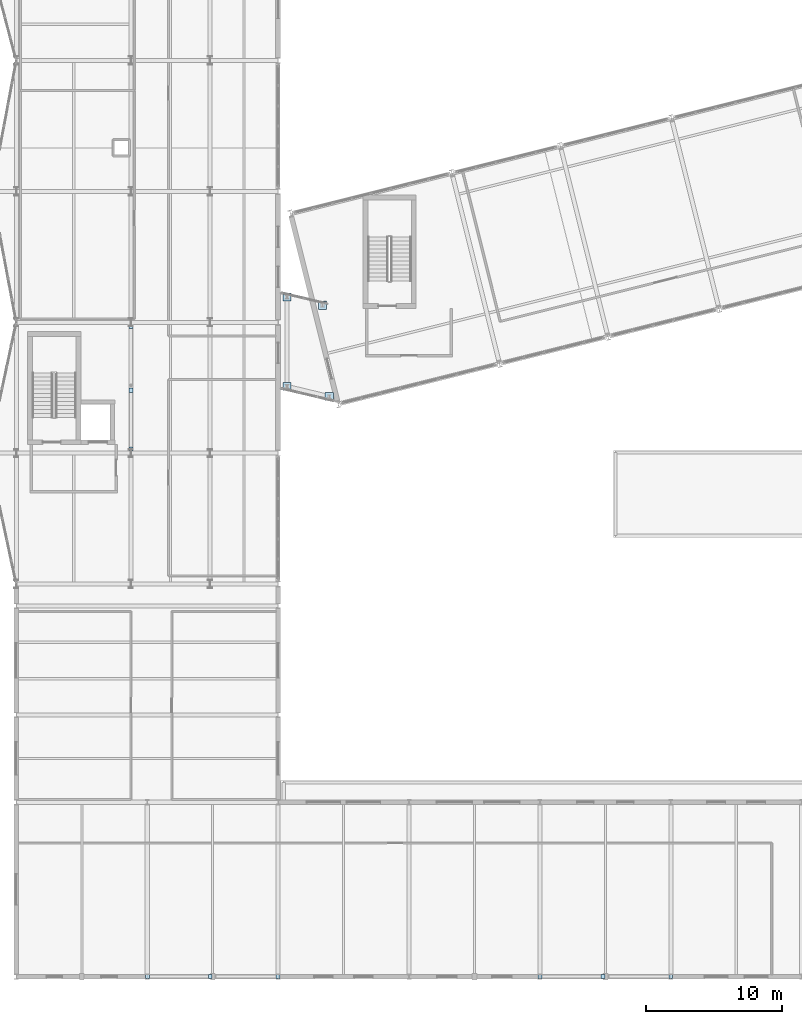
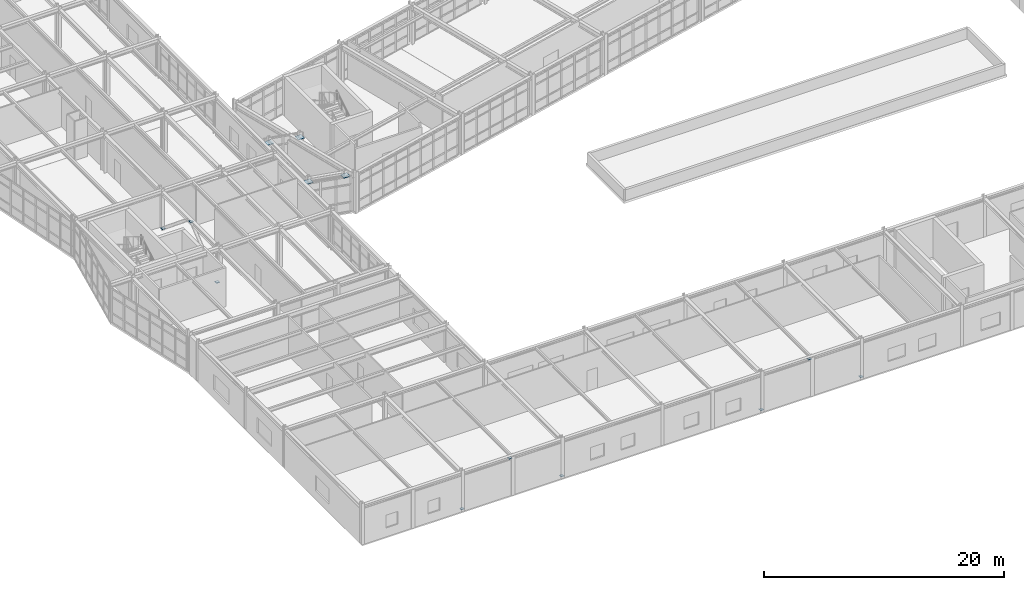
# One storey, part 73 of 99: 13 plates.
"""IFC4 building model written with IfcOpenShell, lengths in metres."""

from ifc_helpers import new_model, si_unit, direction, frame, origin, origin_2d, place, context, subcontext, project, spatial, rectangle, extrude, material, layer, layer_set, type_object, element, save


model = new_model("IFC4")

# Units and contexts
model_context = context("Model", 3, precision=1e-05, world=origin(), true_north=direction((0.0, 1.0)))
body_context = subcontext(model_context, "Body", "Model", "MODEL_VIEW")
ifc_project = project(units=[si_unit("LENGTHUNIT", "METRE"), si_unit("AREAUNIT", "SQUARE_METRE"), si_unit("VOLUMEUNIT", "CUBIC_METRE"), si_unit("PLANEANGLEUNIT", "RADIAN"), si_unit("MASSUNIT", "GRAM", prefix="KILO")], contexts=[model_context])

# Site, building, storey
site_placement = place(None, origin())
site = spatial("IfcSite", under=ifc_project, at=site_placement, CompositionType="ELEMENT")
building_placement = place(site_placement, origin())
building = spatial("IfcBuilding", under=site, at=building_placement, Name="Nordkorset Police Headquarters", CompositionType="ELEMENT")
storey_placement = place(building_placement, frame((0.0, 0.0, 5.25)))
storey = spatial("IfcBuildingStorey", under=building, at=storey_placement, Name="L01", CompositionType="ELEMENT", Elevation=5.25)

# Plates
ifc_material_1 = material(Name="Steel S355J2", Category="steel")
ifc_layer_1 = layer(ifc_material_1, 0.02001953125, Name="Steel S355J2")
ifc_layer_set_1 = layer_set([ifc_layer_1], Name="Steel S355J2")
plate_type_1 = type_object("IfcPlateType", Name="SteelPlate_20mm", PredefinedType="SHEET", material=ifc_layer_set_1)
for number, where, z_axis, x_axis, name in (
    (1, (8.39990234375, 38.699951171875, 0.18994140625), (0.0, 0.0, 1.0), (1.0, 0.0, 0.0), "Hollow Section End Cap Plate BF-V3-A-L01-D1-0"),
    (2, (8.39990234375, 43.02001953125, 3.72998046875), (0.0, 0.0, 1.0), (1.0, 0.0, 0.0), "Hollow Section End Cap Plate BF-V3-A-L01-D1-1"),
    (3, (8.39990234375, 47.699951171875, 0.18994140625), (0.0, 0.0, 1.0), (1.0, 0.0, 0.0), "Hollow Section End Cap Plate BF-V3-A-L01-D2-0"),
):
    element("IfcPlate", number, at=place(storey_placement, frame(where, z_axis=z_axis, x_axis=x_axis)), inside=storey, type_object=plate_type_1, Name=name, PredefinedType="SHEET", context=body_context, shape_type="SweptSolid", body=[
        extrude(rectangle(XDim=0.31298828125, YDim=0.31298828125, at=origin_2d()), origin(), (0.0, 0.0, 1.0), 0.02001953125),
    ])
for number, where, z_axis, x_axis, name in (
    (4, (9.60595703125, 0.0, 0.18994140625), (0.0, 0.0, 1.0), (1.0, 0.0, 0.0), "Hollow Section End Cap Plate BF-EXT-V7S1-L01-D1-0"),
    (5, (14.219970703125, 0.0, 3.72998046875), (0.0, 0.0, 1.0), (1.0, 0.0, 0.0), "Hollow Section End Cap Plate BF-EXT-V7S1-L01-D1-1"),
    (6, (19.194091796875, 0.0, 0.18994140625), (0.0, 0.0, 1.0), (1.0, 0.0, 0.0), "Hollow Section End Cap Plate BF-EXT-V7S1-L01-D2-0"),
    (7, (38.406005859375, 0.0, 0.18994140625), (0.0, 0.0, 1.0), (1.0, 0.0, 0.0), "Hollow Section End Cap Plate BF-EXT-V7S4-L01-D1-0"),
    (8, (43.02001953125, 0.0, 3.72998046875), (0.0, 0.0, 1.0), (1.0, 0.0, 0.0), "Hollow Section End Cap Plate BF-EXT-V7S4-L01-D1-1"),
    (9, (47.993896484375, 0.0, 0.18994140625), (0.0, 0.0, 1.0), (1.0, 0.0, 0.0), "Hollow Section End Cap Plate BF-EXT-V7S4-L01-D2-0"),
):
    element("IfcPlate", number, at=place(storey_placement, frame(where, z_axis=z_axis, x_axis=x_axis)), inside=storey, type_object=plate_type_1, Name=name, PredefinedType="SHEET", context=body_context, shape_type="SweptSolid", body=[
        extrude(rectangle(XDim=0.2900390625, YDim=0.2900390625, at=origin_2d()), origin(), (0.0, 0.0, 1.0), 0.02001953125),
    ])
ifc_material_2 = material(Name="Steel S355J2", Category="steel")
ifc_layer_2 = layer(ifc_material_2, 0.0400390625, Name="Steel S355J2")
ifc_layer_set_2 = layer_set([ifc_layer_2], Name="Steel S355J2")
plate_type_2 = type_object("IfcPlateType", Name="SteelPlate_40mm", PredefinedType="SHEET", material=ifc_layer_set_2)
for number, where, z_axis, x_axis, name in (
    (10, (19.85009765625, 43.300048828125, 3.571044921875), (0.0, 0.0, 1.0), (1.0, 0.0, 0.0), "Bridge Bearing Seat Plate 600mm BRG-W L01 1"),
    (11, (22.949951171875, 42.550048828125, 3.571044921875), (0.0, 0.0, 1.0), (1.0, 0.0, 0.0), "Bridge Bearing Seat Plate 600mm BRG-W L01 2"),
    (12, (19.85009765625, 49.85009765625, 3.571044921875), (0.0, 0.0, 1.0), (1.0, 0.0, 0.0), "Bridge Bearing Seat Plate 600mm BRG-W L01 3"),
    (13, (22.449951171875, 49.25, 3.571044921875), (0.0, 0.0, 1.0), (1.0, 0.0, 0.0), "Bridge Bearing Seat Plate 600mm BRG-W L01 4"),
):
    element("IfcPlate", number, at=place(storey_placement, frame(where, z_axis=z_axis, x_axis=x_axis)), inside=storey, type_object=plate_type_2, Name=name, PredefinedType="SHEET", context=body_context, shape_type="SweptSolid", body=[
        extrude(rectangle(XDim=0.60009765625, YDim=0.60009765625, at=origin_2d()), origin(), (0.0, 0.0, 1.0), 0.0400390625),
    ])

save(model, "model.ifc")
